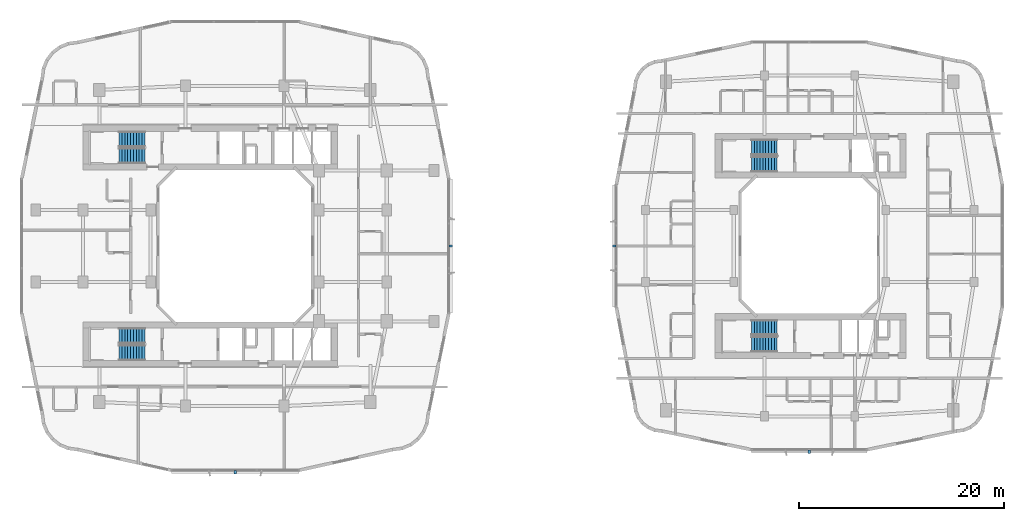
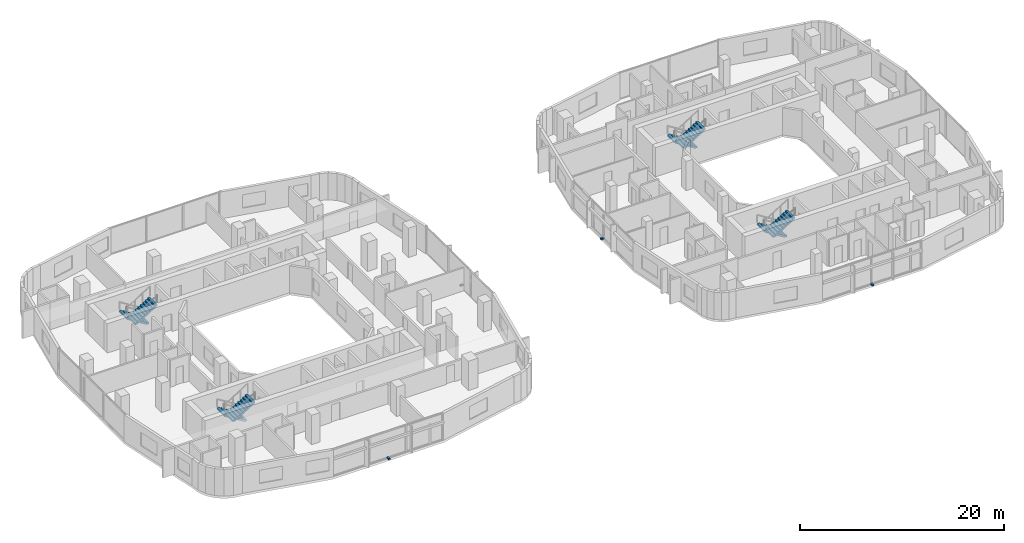
# One storey, part 21 of 26: 8 stair flights, 4 discrete accessories, 4 elements without a shape of their own.
"""IFC4 building model written with IfcOpenShell, lengths in metres."""

from ifc_helpers import new_model, si_unit, derived_unit, direction, frame, origin, origin_2d, place, context, subcontext, project, spatial, polyline, rectangle, outline, extrude, material, type_object, element, aggregate, save


model = new_model("IFC4")

# Units and contexts
model_context = context("Model", 3, precision=1e-05, world=origin(), true_north=direction((0.0, 1.0)))
body_context = subcontext(model_context, "Body", "Model", "MODEL_VIEW")
ifc_project = project(units=[si_unit("LENGTHUNIT", "METRE"), si_unit("AREAUNIT", "SQUARE_METRE"), si_unit("VOLUMEUNIT", "CUBIC_METRE"), si_unit("PLANEANGLEUNIT", "RADIAN"), si_unit("MASSUNIT", "GRAM", prefix="KILO"), derived_unit("THERMALTRANSMITTANCEUNIT", [(si_unit("POWERUNIT", "WATT"), 1), (si_unit("LENGTHUNIT", "METRE"), -2), (si_unit("THERMODYNAMICTEMPERATUREUNIT", "KELVIN"), -1)])], contexts=[model_context])

# Site, building, storey
site_placement = place(None, origin())
site = spatial("IfcSite", under=ifc_project, at=site_placement, CompositionType="ELEMENT")
building_placement = place(site_placement, origin())
building = spatial("IfcBuilding", under=site, at=building_placement, Name="Kivonza Crest Hotel", CompositionType="ELEMENT")
storey_placement = place(building_placement, frame((0.0, 0.0, 45.0)))
storey = spatial("IfcBuildingStorey", under=building, at=storey_placement, Name="L11", CompositionType="ELEMENT", Elevation=45.0)

# Stair, stair flights
ifc_material_1 = material(Name="Concrete C40/50", Category="concrete")
stair_type = type_object("IfcStairType", Name="ST-DL-20R", PredefinedType="HALF_TURN_STAIR", material=ifc_material_1)
stair_1_placement = place(storey_placement, origin())
stair_1 = element("IfcStair", 1, at=stair_1_placement, inside=storey, type_object=stair_type, Name="L11 Protected Exit Stair ST-T1-N", PredefinedType="HALF_TURN_STAIR")
stair_flight_type = type_object("IfcStairFlightType", Name="SFL-RC-10R", PredefinedType="STRAIGHT", material=ifc_material_1)
stair_flight_1_placement = place(storey_placement, frame((12.239990234375, 35.409912109375, 0.0), z_axis=(0.0, 0.0, 1.0), x_axis=(-1.0, 0.0, 0.0)))
stair_flight_1 = element("IfcStairFlight", 2, at=stair_flight_1_placement, type_object=stair_flight_type, Name="ST-T1-N flight 1", NumberOfRisers=10, NumberOfTreads=9, PredefinedType="STRAIGHT", RiserHeight=0.175, TreadLength=0.28, context=body_context, shape_type="SweptSolid", body=[
    extrude(outline(polyline([(0.0, 0.0), (0.0, 0.175048828125), (0.280029296875, 0.175048828125), (0.280029296875, 0.35009765625), (0.56005859375, 0.35009765625), (0.56005859375, 0.52490234375), (0.840087890625, 0.52490234375), (0.840087890625, 0.699951171875), (1.1201171875, 0.699951171875), (1.1201171875, 0.875), (1.39990234375, 0.875), (1.39990234375, 1.050048828125), (1.679931640625, 1.050048828125), (1.679931640625, 1.22509765625), (1.9599609375, 1.22509765625), (1.9599609375, 1.39990234375), (2.239990234375, 1.39990234375), (2.239990234375, 1.574951171875), (2.52001953125, 1.574951171875), (2.52001953125, 1.75), (2.52001953125, 1.398193359375), (0.28271484375, 0.0), (0.0, 0.0)])), frame((0.0, 0.75, 0.0), z_axis=(0.0, -1.0, 0.0), x_axis=(1.0, 0.0, 0.0)), (0.0, 0.0, 1.0), 1.5),
])
stair_flight_2_placement = place(storey_placement, frame((9.719970703125, 33.77001953125, 1.75), z_axis=(0.0, 0.0, 1.0), x_axis=(1.0, 0.0, 0.0)))
stair_flight_2 = element("IfcStairFlight", 3, at=stair_flight_2_placement, type_object=stair_flight_type, Name="ST-T1-N flight 2", NumberOfRisers=10, NumberOfTreads=9, PredefinedType="STRAIGHT", RiserHeight=0.175, TreadLength=0.28, context=body_context, shape_type="SweptSolid", body=[
    extrude(outline(polyline([(0.0, 0.0), (0.0, 0.175048828125), (0.280029296875, 0.175048828125), (0.280029296875, 0.35009765625), (0.56005859375, 0.35009765625), (0.56005859375, 0.52490234375), (0.840087890625, 0.52490234375), (0.840087890625, 0.699951171875), (1.1201171875, 0.699951171875), (1.1201171875, 0.875), (1.39990234375, 0.875), (1.39990234375, 1.050048828125), (1.679931640625, 1.050048828125), (1.679931640625, 1.22509765625), (1.9599609375, 1.22509765625), (1.9599609375, 1.39990234375), (2.239990234375, 1.39990234375), (2.239990234375, 1.574951171875), (2.52001953125, 1.574951171875), (2.52001953125, 1.75), (2.52001953125, 1.398193359375), (0.28271484375, 0.0), (0.0, 0.0)])), frame((0.0, 0.75, 0.0), z_axis=(0.0, -1.0, 0.0), x_axis=(1.0, 0.0, 0.0)), (0.0, 0.0, 1.0), 1.5),
])
aggregate(stair_1, [stair_flight_1, stair_flight_2])

stair_2_placement = place(storey_placement, origin())
stair_2 = element("IfcStair", 4, at=stair_2_placement, inside=storey, type_object=stair_type, Name="L11 Protected Exit Stair ST-T1-S", PredefinedType="HALF_TURN_STAIR")
stair_flight_3_placement = place(storey_placement, frame((12.239990234375, 16.25, 0.0), z_axis=(0.0, 0.0, 1.0), x_axis=(-1.0, 0.0, 0.0)))
stair_flight_3 = element("IfcStairFlight", 5, at=stair_flight_3_placement, type_object=stair_flight_type, Name="ST-T1-S flight 1", NumberOfRisers=10, NumberOfTreads=9, PredefinedType="STRAIGHT", RiserHeight=0.175, TreadLength=0.28, context=body_context, shape_type="SweptSolid", body=[
    extrude(outline(polyline([(0.0, 0.0), (0.0, 0.175048828125), (0.280029296875, 0.175048828125), (0.280029296875, 0.35009765625), (0.56005859375, 0.35009765625), (0.56005859375, 0.52490234375), (0.840087890625, 0.52490234375), (0.840087890625, 0.699951171875), (1.1201171875, 0.699951171875), (1.1201171875, 0.875), (1.39990234375, 0.875), (1.39990234375, 1.050048828125), (1.679931640625, 1.050048828125), (1.679931640625, 1.22509765625), (1.9599609375, 1.22509765625), (1.9599609375, 1.39990234375), (2.239990234375, 1.39990234375), (2.239990234375, 1.574951171875), (2.52001953125, 1.574951171875), (2.52001953125, 1.75), (2.52001953125, 1.398193359375), (0.28271484375, 0.0), (0.0, 0.0)])), frame((0.0, 0.75, 0.0), z_axis=(0.0, -1.0, 0.0), x_axis=(1.0, 0.0, 0.0)), (0.0, 0.0, 1.0), 1.5),
])
stair_flight_4_placement = place(storey_placement, frame((9.719970703125, 14.610107421875, 1.75), z_axis=(0.0, 0.0, 1.0), x_axis=(1.0, 0.0, 0.0)))
stair_flight_4 = element("IfcStairFlight", 6, at=stair_flight_4_placement, type_object=stair_flight_type, Name="ST-T1-S flight 2", NumberOfRisers=10, NumberOfTreads=9, PredefinedType="STRAIGHT", RiserHeight=0.175, TreadLength=0.28, context=body_context, shape_type="SweptSolid", body=[
    extrude(outline(polyline([(0.0, 0.0), (0.0, 0.175048828125), (0.280029296875, 0.175048828125), (0.280029296875, 0.35009765625), (0.56005859375, 0.35009765625), (0.56005859375, 0.52490234375), (0.840087890625, 0.52490234375), (0.840087890625, 0.699951171875), (1.1201171875, 0.699951171875), (1.1201171875, 0.875), (1.39990234375, 0.875), (1.39990234375, 1.050048828125), (1.679931640625, 1.050048828125), (1.679931640625, 1.22509765625), (1.9599609375, 1.22509765625), (1.9599609375, 1.39990234375), (2.239990234375, 1.39990234375), (2.239990234375, 1.574951171875), (2.52001953125, 1.574951171875), (2.52001953125, 1.75), (2.52001953125, 1.398193359375), (0.28271484375, 0.0), (0.0, 0.0)])), frame((0.0, 0.75, 0.0), z_axis=(0.0, -1.0, 0.0), x_axis=(1.0, 0.0, 0.0)), (0.0, 0.0, 1.0), 1.5),
])
aggregate(stair_2, [stair_flight_3, stair_flight_4])

stair_3_placement = place(storey_placement, origin())
stair_3 = element("IfcStair", 7, at=stair_3_placement, inside=storey, type_object=stair_type, Name="L11 Protected Exit Stair ST-T2-N", PredefinedType="HALF_TURN_STAIR")
stair_flight_5_placement = place(storey_placement, frame((73.840087890625, 34.610107421875, 0.0), z_axis=(0.0, 0.0, 1.0), x_axis=(-1.0, 0.0, 0.0)))
stair_flight_5 = element("IfcStairFlight", 8, at=stair_flight_5_placement, type_object=stair_flight_type, Name="ST-T2-N flight 1", NumberOfRisers=10, NumberOfTreads=9, PredefinedType="STRAIGHT", RiserHeight=0.175, TreadLength=0.28, context=body_context, shape_type="SweptSolid", body=[
    extrude(outline(polyline([(0.0, 0.0), (0.0, 0.175048828125), (0.280029296875, 0.175048828125), (0.280029296875, 0.35009765625), (0.56005859375, 0.35009765625), (0.56005859375, 0.52490234375), (0.840087890625, 0.52490234375), (0.840087890625, 0.699951171875), (1.1201171875, 0.699951171875), (1.1201171875, 0.875), (1.39990234375, 0.875), (1.39990234375, 1.050048828125), (1.679931640625, 1.050048828125), (1.679931640625, 1.22509765625), (1.9599609375, 1.22509765625), (1.9599609375, 1.39990234375), (2.239990234375, 1.39990234375), (2.239990234375, 1.574951171875), (2.52001953125, 1.574951171875), (2.52001953125, 1.75), (2.52001953125, 1.398193359375), (0.28271484375, 0.0), (0.0, 0.0)])), frame((0.0, 0.75, 0.0), z_axis=(0.0, -1.0, 0.0), x_axis=(1.0, 0.0, 0.0)), (0.0, 0.0, 1.0), 1.5),
])
stair_flight_6_placement = place(storey_placement, frame((71.320068359375, 32.969970703125, 1.75), z_axis=(0.0, 0.0, 1.0), x_axis=(1.0, 0.0, 0.0)))
stair_flight_6 = element("IfcStairFlight", 9, at=stair_flight_6_placement, type_object=stair_flight_type, Name="ST-T2-N flight 2", NumberOfRisers=10, NumberOfTreads=9, PredefinedType="STRAIGHT", RiserHeight=0.175, TreadLength=0.28, context=body_context, shape_type="SweptSolid", body=[
    extrude(outline(polyline([(0.0, 0.0), (0.0, 0.175048828125), (0.280029296875, 0.175048828125), (0.280029296875, 0.35009765625), (0.56005859375, 0.35009765625), (0.56005859375, 0.52490234375), (0.840087890625, 0.52490234375), (0.840087890625, 0.699951171875), (1.1201171875, 0.699951171875), (1.1201171875, 0.875), (1.39990234375, 0.875), (1.39990234375, 1.050048828125), (1.679931640625, 1.050048828125), (1.679931640625, 1.22509765625), (1.9599609375, 1.22509765625), (1.9599609375, 1.39990234375), (2.239990234375, 1.39990234375), (2.239990234375, 1.574951171875), (2.52001953125, 1.574951171875), (2.52001953125, 1.75), (2.52001953125, 1.398193359375), (0.28271484375, 0.0), (0.0, 0.0)])), frame((0.0, 0.75, 0.0), z_axis=(0.0, -1.0, 0.0), x_axis=(1.0, 0.0, 0.0)), (0.0, 0.0, 1.0), 1.5),
])
aggregate(stair_3, [stair_flight_5, stair_flight_6])

stair_4_placement = place(storey_placement, origin())
stair_4 = element("IfcStair", 10, at=stair_4_placement, inside=storey, type_object=stair_type, Name="L11 Protected Exit Stair ST-T2-S", PredefinedType="HALF_TURN_STAIR")
stair_flight_7_placement = place(storey_placement, frame((73.840087890625, 17.050048828125, 0.0), z_axis=(0.0, 0.0, 1.0), x_axis=(-1.0, 0.0, 0.0)))
stair_flight_7 = element("IfcStairFlight", 11, at=stair_flight_7_placement, type_object=stair_flight_type, Name="ST-T2-S flight 1", NumberOfRisers=10, NumberOfTreads=9, PredefinedType="STRAIGHT", RiserHeight=0.175, TreadLength=0.28, context=body_context, shape_type="SweptSolid", body=[
    extrude(outline(polyline([(0.0, 0.0), (0.0, 0.175048828125), (0.280029296875, 0.175048828125), (0.280029296875, 0.35009765625), (0.56005859375, 0.35009765625), (0.56005859375, 0.52490234375), (0.840087890625, 0.52490234375), (0.840087890625, 0.699951171875), (1.1201171875, 0.699951171875), (1.1201171875, 0.875), (1.39990234375, 0.875), (1.39990234375, 1.050048828125), (1.679931640625, 1.050048828125), (1.679931640625, 1.22509765625), (1.9599609375, 1.22509765625), (1.9599609375, 1.39990234375), (2.239990234375, 1.39990234375), (2.239990234375, 1.574951171875), (2.52001953125, 1.574951171875), (2.52001953125, 1.75), (2.52001953125, 1.398193359375), (0.28271484375, 0.0), (0.0, 0.0)])), frame((0.0, 0.75, 0.0), z_axis=(0.0, -1.0, 0.0), x_axis=(1.0, 0.0, 0.0)), (0.0, 0.0, 1.0), 1.5),
])
stair_flight_8_placement = place(storey_placement, frame((71.320068359375, 15.409912109375, 1.75), z_axis=(0.0, 0.0, 1.0), x_axis=(1.0, 0.0, 0.0)))
stair_flight_8 = element("IfcStairFlight", 12, at=stair_flight_8_placement, type_object=stair_flight_type, Name="ST-T2-S flight 2", NumberOfRisers=10, NumberOfTreads=9, PredefinedType="STRAIGHT", RiserHeight=0.175, TreadLength=0.28, context=body_context, shape_type="SweptSolid", body=[
    extrude(outline(polyline([(0.0, 0.0), (0.0, 0.175048828125), (0.280029296875, 0.175048828125), (0.280029296875, 0.35009765625), (0.56005859375, 0.35009765625), (0.56005859375, 0.52490234375), (0.840087890625, 0.52490234375), (0.840087890625, 0.699951171875), (1.1201171875, 0.699951171875), (1.1201171875, 0.875), (1.39990234375, 0.875), (1.39990234375, 1.050048828125), (1.679931640625, 1.050048828125), (1.679931640625, 1.22509765625), (1.9599609375, 1.22509765625), (1.9599609375, 1.39990234375), (2.239990234375, 1.39990234375), (2.239990234375, 1.574951171875), (2.52001953125, 1.574951171875), (2.52001953125, 1.75), (2.52001953125, 1.398193359375), (0.28271484375, 0.0), (0.0, 0.0)])), frame((0.0, 0.75, 0.0), z_axis=(0.0, -1.0, 0.0), x_axis=(1.0, 0.0, 0.0)), (0.0, 0.0, 1.0), 1.5),
])
aggregate(stair_4, [stair_flight_7, stair_flight_8])

# Discrete accessories
ifc_material_2 = material(Name="Stainless steel 316", Category="steel")
discrete_accessory_type = type_object("IfcDiscreteAccessoryType", Name="AC-BRACKET-240", PredefinedType="BRACKET", material=ifc_material_2)
for number, where, z_axis, x_axis, name in (
    (13, (21.0400390625, 2.9599609375, -0.009765625), (0.0, 0.0, 1.0), (1.0, 0.0, 0.0), "L11 terracotta baguette support bracket CW-T1-L11-08"),
    (14, (42.0400390625, 25.0, -0.009765625), (0.0, 0.0, 1.0), (0.0, 1.0, 0.0), "L11 terracotta baguette support bracket CW-T1-L11-17"),
    (15, (76.9599609375, 4.9599609375, -0.009765625), (0.0, 0.0, 1.0), (1.0, 0.0, 0.0), "L11 terracotta baguette support bracket CW-T2-L11-08"),
    (16, (57.9599609375, 25.0, -0.009765625), (0.0, 0.0, 1.0), (0.0, -1.0, 0.0), "L11 terracotta baguette support bracket CW-T2-L11-35"),
):
    element("IfcDiscreteAccessory", number, at=place(storey_placement, frame(where, z_axis=z_axis, x_axis=x_axis)), inside=storey, type_object=discrete_accessory_type, Name=name, PredefinedType="BRACKET", context=body_context, shape_type="SweptSolid", body=[
        extrude(rectangle(XDim=0.219970703125, YDim=0.340087890625, at=origin_2d()), origin(), (0.0, 0.0, 1.0), 0.179931640625),
    ])

save(model, "model.ifc")
